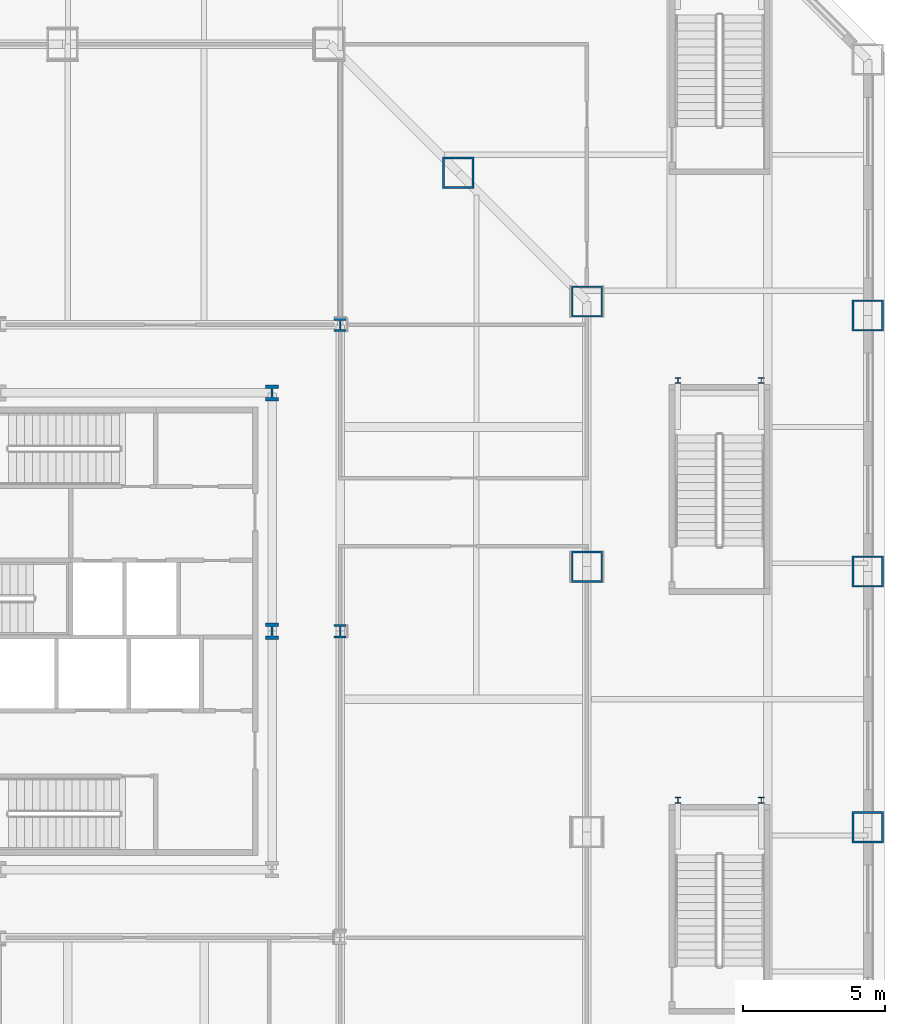
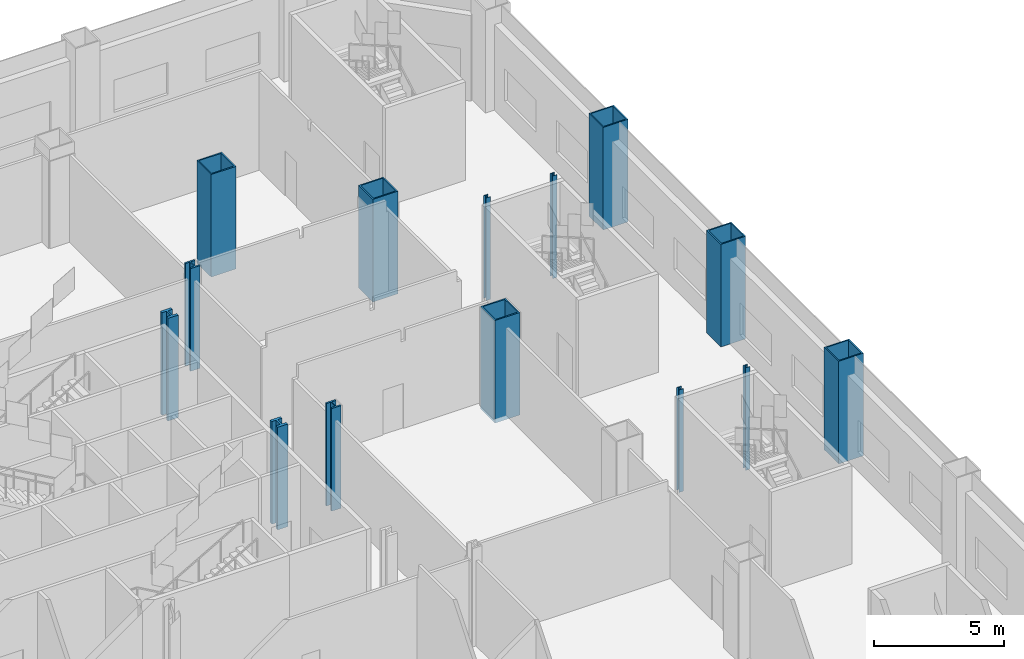
# One storey, part 6 of 25: 14 columns.
"""IFC4 building model written with IfcOpenShell, lengths in metres."""

from ifc_helpers import new_model, si_unit, direction, frame, origin, origin_2d, place, context, subcontext, project, spatial, hollow_rectangle, i_section, extrude, material, material_profile, profile_set, type_object, element, save


model = new_model("IFC4")

# Units and contexts
model_context = context("Model", 3, precision=1e-05, world=origin(), true_north=direction((0.0, 1.0)))
body_context = subcontext(model_context, "Body", "Model", "MODEL_VIEW")
ifc_project = project(units=[si_unit("LENGTHUNIT", "METRE"), si_unit("AREAUNIT", "SQUARE_METRE"), si_unit("VOLUMEUNIT", "CUBIC_METRE"), si_unit("PLANEANGLEUNIT", "RADIAN"), si_unit("MASSUNIT", "GRAM", prefix="KILO")], contexts=[model_context])

# Site, building, storey
site_placement = place(None, origin())
site = spatial("IfcSite", under=ifc_project, at=site_placement, CompositionType="ELEMENT")
building_placement = place(site_placement, origin())
building = spatial("IfcBuilding", under=site, at=building_placement, Name="Cairn Pilgrim Tower", CompositionType="ELEMENT")
storey_placement = place(building_placement, frame((0.0, 0.0, 30.60009765625)))
storey = spatial("IfcBuildingStorey", under=building, at=storey_placement, Name="L05", CompositionType="ELEMENT", Elevation=30.60009765625)

# Columns
ifc_material_1 = material(Name="Structural steel S460M", Category="steel")
ifc_material_profile_1 = material_profile(ifc_material_1, hollow_rectangle(XDim=1.10009765625, YDim=1.10009765625, WallThickness=0.06005859375, at=origin_2d()), Name="BOX 1100x1100x60")
ifc_profile_set_1 = profile_set([ifc_material_profile_1], Name="Structural steel S460M")
column_type_1 = type_object("IfcColumnType", Name="BOX 1100x1100x60", PredefinedType="COLUMN", material=ifc_profile_set_1)
for number, where, z_axis, x_axis, name in (
    (1, (27.89990234375, 4.67578125, -0.2001953125), (0.0, 0.0, 1.0), (1.0, 0.0, 0.0), "PC1-E3"),
    (2, (27.89990234375, 14.027099609375, -0.2001953125), (0.0, 0.0, 1.0), (1.0, 0.0, 0.0), "PC1-NE1"),
    (3, (23.363525390625, 18.563720703125, -0.2001953125), (0.0, 0.0, 1.0), (1.0, 0.0, 0.0), "PC1-NE2"),
):
    element("IfcColumn", number, at=place(storey_placement, frame(where, z_axis=z_axis, x_axis=x_axis)), inside=storey, type_object=column_type_1, Name=name, PredefinedType="COLUMN", context=body_context, shape_type="SweptSolid", body=[
        extrude(hollow_rectangle(XDim=1.10009765625, YDim=1.10009765625, WallThickness=0.06005859375, at=origin_2d()), origin(), (0.0, 0.0, 1.0), 4.800048828125),
    ])
ifc_material_profile_2 = material_profile(ifc_material_1, i_section(OverallWidth=0.4541015625, OverallDepth=0.569091796875, WebThickness=0.077880859375, FlangeThickness=0.125, FilletRadius=0.014892578125, at=origin_2d()), Name="HD 400x1086")
ifc_profile_set_2 = profile_set([ifc_material_profile_2], Name="Structural steel S460M")
column_type_2 = type_object("IfcColumnType", Name="HD 400x1086", PredefinedType="COLUMN", material=ifc_profile_set_2)
for number, where, z_axis, x_axis, name in (
    (4, (16.800048828125, 2.39990234375, -0.2001953125), (0.0, 0.0, 1.0), (1.0, 0.0, 0.0), "KC-5"),
    (5, (16.800048828125, 10.800048828125, -0.2001953125), (0.0, 0.0, 1.0), (1.0, 0.0, 0.0), "KC-8"),
):
    element("IfcColumn", number, at=place(storey_placement, frame(where, z_axis=z_axis, x_axis=x_axis)), inside=storey, type_object=column_type_2, Name=name, PredefinedType="COLUMN", context=body_context, shape_type="SweptSolid", body=[
        extrude(i_section(OverallWidth=0.4541015625, OverallDepth=0.569091796875, WebThickness=0.077880859375, FlangeThickness=0.125, FilletRadius=0.014892578125, at=origin_2d()), origin(), (0.0, 0.0, 1.0), 4.800048828125),
    ])
ifc_material_profile_3 = material_profile(ifc_material_1, i_section(OverallWidth=0.424072265625, OverallDepth=0.47412109375, WebThickness=0.047607421875, FlangeThickness=0.0771484375, FilletRadius=0.014892578125, at=origin_2d()), Name="HD 400x634")
ifc_profile_set_3 = profile_set([ifc_material_profile_3], Name="Structural steel S460M")
column_type_3 = type_object("IfcColumnType", Name="HD 400x634", PredefinedType="COLUMN", material=ifc_profile_set_3)
for number, where, z_axis, x_axis, name in (
    (6, (19.199951171875, 2.39990234375, -0.2001953125), (0.0, 0.0, 1.0), (1.0, 0.0, 0.0), "IC-5"),
    (7, (19.199951171875, 13.199951171875, -0.2001953125), (0.0, 0.0, 1.0), (1.0, 0.0, 0.0), "IC-8"),
):
    element("IfcColumn", number, at=place(storey_placement, frame(where, z_axis=z_axis, x_axis=x_axis)), inside=storey, type_object=column_type_3, Name=name, PredefinedType="COLUMN", context=body_context, shape_type="SweptSolid", body=[
        extrude(i_section(OverallWidth=0.424072265625, OverallDepth=0.47412109375, WebThickness=0.047607421875, FlangeThickness=0.0771484375, FilletRadius=0.014892578125, at=origin_2d()), origin(), (0.0, 0.0, 1.0), 4.800048828125),
    ])
ifc_material_profile_4 = material_profile(ifc_material_1, hollow_rectangle(XDim=1.10009765625, YDim=1.10009765625, WallThickness=0.06005859375, at=origin_2d()), Name="BOX 1100x1100x60")
ifc_profile_set_4 = profile_set([ifc_material_profile_4], Name="Structural steel S460M")
column_type_4 = type_object("IfcColumnType", Name="PILOTIS CFT 1100", PredefinedType="COLUMN", material=ifc_profile_set_4)
for number, where, z_axis, x_axis, name in (
    (8, (37.800048828125, -4.51025390625, 0.0), (0.0, 0.0, 1.0), (1.0, 0.0, 0.0), "PILOTIS PL-E3"),
    (9, (37.800048828125, 4.51025390625, 0.0), (0.0, 0.0, 1.0), (1.0, 0.0, 0.0), "PILOTIS PL-E4"),
    (10, (37.800048828125, 13.531005859375, 0.0), (0.0, 0.0, 1.0), (1.0, 0.0, 0.0), "PILOTIS PL-E5"),
):
    element("IfcColumn", number, at=place(storey_placement, frame(where, z_axis=z_axis, x_axis=x_axis)), inside=storey, type_object=column_type_4, Name=name, PredefinedType="COLUMN", context=body_context, shape_type="SweptSolid", body=[
        extrude(hollow_rectangle(XDim=1.10009765625, YDim=1.10009765625, WallThickness=0.06005859375, at=origin_2d()), origin(), (0.0, 0.0, 1.0), 4.7998046875),
    ])
ifc_material_2 = material(Name="Structural steel S355J2", Category="steel")
ifc_material_profile_5 = material_profile(ifc_material_2, i_section(OverallWidth=0.199951171875, OverallDepth=0.199951171875, WebThickness=0.009033203125, FlangeThickness=0.014892578125, FilletRadius=0.01806640625, at=origin_2d()), Name="HE 200 B")
ifc_profile_set_5 = profile_set([ifc_material_profile_5], Name="Structural steel S355J2")
column_type_5 = type_object("IfcColumnType", Name="STAIR POST HE 200 B", PredefinedType="COLUMN", material=ifc_profile_set_5)
for number, where, z_axis, x_axis, name in (
    (11, (31.10498046875, -3.56005859375, 0.0), (0.0, 0.0, 1.0), (1.0, 0.0, 0.0), "STAIR POST LP-ES2-NA"),
    (12, (34.044921875, -3.56005859375, 0.0), (0.0, 0.0, 1.0), (1.0, 0.0, 0.0), "STAIR POST LP-ES2-NB"),
    (13, (31.10498046875, 11.239990234375, 0.0), (0.0, 0.0, 1.0), (1.0, 0.0, 0.0), "STAIR POST LP-ES3-NA"),
    (14, (34.044921875, 11.239990234375, 0.0), (0.0, 0.0, 1.0), (1.0, 0.0, 0.0), "STAIR POST LP-ES3-NB"),
):
    element("IfcColumn", number, at=place(storey_placement, frame(where, z_axis=z_axis, x_axis=x_axis)), inside=storey, type_object=column_type_5, Name=name, PredefinedType="COLUMN", context=body_context, shape_type="SweptSolid", body=[
        extrude(i_section(OverallWidth=0.199951171875, OverallDepth=0.199951171875, WebThickness=0.009033203125, FlangeThickness=0.014892578125, FilletRadius=0.01806640625, at=origin_2d()), origin(), (0.0, 0.0, 1.0), 4.7998046875),
    ])

save(model, "model.ifc")
